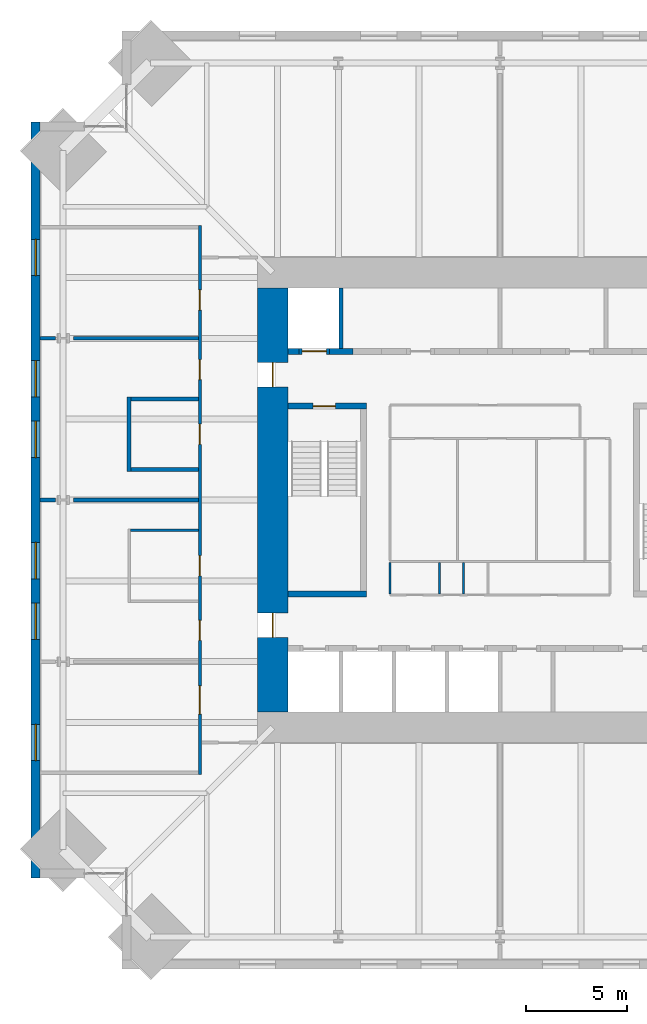
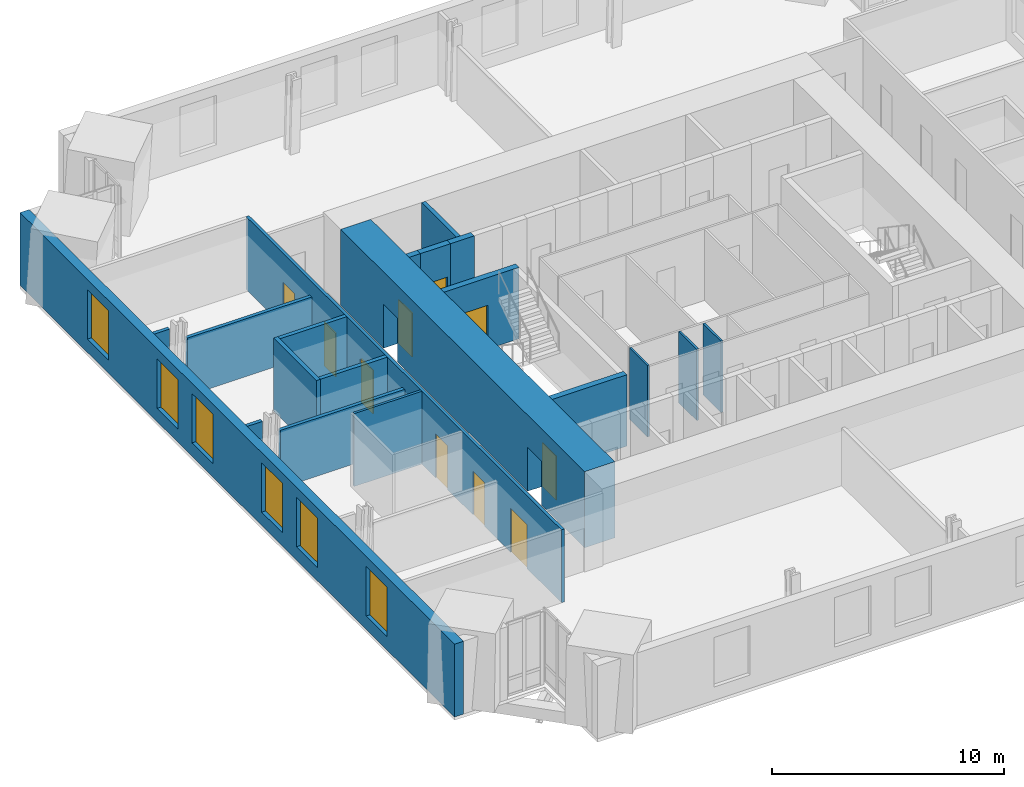
# One storey, part 11 of 15: 20 walls, 10 doors, 6 windows, 16 openings.
"""IFC4 building model written with IfcOpenShell, lengths in metres."""

from ifc_helpers import new_model, si_unit, direction, frame, frame_2d, origin, place, context, subcontext, project, spatial, rectangle, extrude, material, layer, layer_set, type_object, element, fill, save


model = new_model("IFC4")

# Units and contexts
model_context = context("Model", 3, precision=1e-05, world=origin(), true_north=direction((0.0, 1.0)))
body_context = subcontext(model_context, "Body", "Model", "MODEL_VIEW")
ifc_project = project(units=[si_unit("LENGTHUNIT", "METRE"), si_unit("AREAUNIT", "SQUARE_METRE"), si_unit("VOLUMEUNIT", "CUBIC_METRE"), si_unit("PLANEANGLEUNIT", "RADIAN"), si_unit("MASSUNIT", "GRAM", prefix="KILO")], contexts=[model_context])

# Site, building, storey
site_placement = place(None, origin())
site = spatial("IfcSite", under=ifc_project, at=site_placement, CompositionType="ELEMENT")
building_placement = place(site_placement, origin())
building = spatial("IfcBuilding", under=site, at=building_placement, Name="Peilmerk Tower", CompositionType="ELEMENT")
storey_placement = place(building_placement, frame((0.0, 0.0, 229.800048828125)))
storey = spatial("IfcBuildingStorey", under=building, at=storey_placement, Name="L50", CompositionType="ELEMENT", Elevation=229.800048828125)

# Wall, openings, windows
ifc_material_1 = material(Name="Precast concrete C45/55, board-marked finish", Category="concrete")
ifc_layer_1 = layer(ifc_material_1, 0.449951171875)
ifc_layer_set_1 = layer_set([ifc_layer_1], Name="Precast concrete C45/55, board-marked finish")
wall_type_1 = type_object("IfcWallType", Name="EW1 450 precast concrete facade wall, board-marked", PredefinedType="SOLIDWALL", material=ifc_layer_set_1)
wall_1_placement = place(storey_placement, frame((-22.97509765625, 18.699951171875, 0.0), z_axis=(0.0, 0.0, 1.0), x_axis=(0.0, -1.0, 0.0)))
wall_1 = element("IfcWall", 1, at=wall_1_placement, inside=storey, type_object=wall_type_1, Name="Facade wall W L50", PredefinedType="SOLIDWALL", context=body_context, shape_type="SweptSolid", body=[
    extrude(rectangle(XDim=37.39990234375, YDim=0.449951171875, at=frame_2d((18.699951171875, 0.0))), origin(), (0.0, 0.0, 1.0), 3.829833984375),
])
opening_1_placement = place(wall_1_placement, frame((5.800048828125, 0.0, 0.699951171875)))
opening_1 = element("IfcOpeningElement", 2, at=opening_1_placement, cuts=wall_1, Name="Opening W1", PredefinedType="OPENING", context=body_context, shape_type="SweptSolid", body=[
    extrude(rectangle(XDim=1.800048828125, YDim=2.60009765625, at=frame_2d((0.89990234375, 1.300048828125))), frame((0.0, 0.23486328125, 0.0), z_axis=(0.0, -1.0, 0.0), x_axis=(1.0, 0.0, 0.0)), (0.0, 0.0, 1.0), 0.469970703125),
])
opening_2_placement = place(wall_1_placement, frame((11.800048828125, 0.0, 0.699951171875)))
opening_2 = element("IfcOpeningElement", 3, at=opening_2_placement, cuts=wall_1, Name="Opening W1", PredefinedType="OPENING", context=body_context, shape_type="SweptSolid", body=[
    extrude(rectangle(XDim=1.800048828125, YDim=2.60009765625, at=frame_2d((0.89990234375, 1.300048828125))), frame((0.0, 0.23486328125, 0.0), z_axis=(0.0, -1.0, 0.0), x_axis=(1.0, 0.0, 0.0)), (0.0, 0.0, 1.0), 0.469970703125),
])
opening_3_placement = place(wall_1_placement, frame((14.800048828125, 0.0, 0.699951171875)))
opening_3 = element("IfcOpeningElement", 4, at=opening_3_placement, cuts=wall_1, Name="Opening W1", PredefinedType="OPENING", context=body_context, shape_type="SweptSolid", body=[
    extrude(rectangle(XDim=1.800048828125, YDim=2.60009765625, at=frame_2d((0.89990234375, 1.300048828125))), frame((0.0, 0.23486328125, 0.0), z_axis=(0.0, -1.0, 0.0), x_axis=(1.0, 0.0, 0.0)), (0.0, 0.0, 1.0), 0.469970703125),
])
opening_4_placement = place(wall_1_placement, frame((20.800048828125, 0.0, 0.699951171875)))
opening_4 = element("IfcOpeningElement", 5, at=opening_4_placement, cuts=wall_1, Name="Opening W1", PredefinedType="OPENING", context=body_context, shape_type="SweptSolid", body=[
    extrude(rectangle(XDim=1.800048828125, YDim=2.60009765625, at=frame_2d((0.89990234375, 1.300048828125))), frame((0.0, 0.23486328125, 0.0), z_axis=(0.0, -1.0, 0.0), x_axis=(1.0, 0.0, 0.0)), (0.0, 0.0, 1.0), 0.469970703125),
])
opening_5_placement = place(wall_1_placement, frame((23.800048828125, 0.0, 0.699951171875)))
opening_5 = element("IfcOpeningElement", 6, at=opening_5_placement, cuts=wall_1, Name="Opening W1", PredefinedType="OPENING", context=body_context, shape_type="SweptSolid", body=[
    extrude(rectangle(XDim=1.800048828125, YDim=2.60009765625, at=frame_2d((0.89990234375, 1.300048828125))), frame((0.0, 0.23486328125, 0.0), z_axis=(0.0, -1.0, 0.0), x_axis=(1.0, 0.0, 0.0)), (0.0, 0.0, 1.0), 0.469970703125),
])
opening_6_placement = place(wall_1_placement, frame((29.800048828125, 0.0, 0.699951171875)))
opening_6 = element("IfcOpeningElement", 7, at=opening_6_placement, cuts=wall_1, Name="Opening W1", PredefinedType="OPENING", context=body_context, shape_type="SweptSolid", body=[
    extrude(rectangle(XDim=1.800048828125, YDim=2.60009765625, at=frame_2d((0.89990234375, 1.300048828125))), frame((0.0, 0.23486328125, 0.0), z_axis=(0.0, -1.0, 0.0), x_axis=(1.0, 0.0, 0.0)), (0.0, 0.0, 1.0), 0.469970703125),
])
ifc_material_2 = material(Name="Aluminium frame, clear double glazing", Category="aluminium")
window_type = type_object("IfcWindowType", Name="W1 1800x2600 office window", PartitioningType="SINGLE_PANEL", PredefinedType="WINDOW", material=ifc_material_2)
window_1_placement = place(opening_1_placement, origin())
window_1 = element("IfcWindow", 8, at=window_1_placement, inside=storey, type_object=window_type, Name="Window W1 L50", OverallHeight=2.60009765625, OverallWidth=1.800048828125, PartitioningType="SINGLE_PANEL", PredefinedType="WINDOW", context=body_context, shape_type="SweptSolid", body=[
    extrude(rectangle(XDim=1.800048828125, YDim=2.60009765625, at=frame_2d((0.89990234375, 1.300048828125))), frame((0.0, 0.030029296875, 0.0), z_axis=(0.0, -1.0, 0.0), x_axis=(1.0, 0.0, 0.0)), (0.0, 0.0, 1.0), 0.06005859375),
])
fill(opening_1, window_1)
window_2_placement = place(opening_2_placement, origin())
window_2 = element("IfcWindow", 9, at=window_2_placement, inside=storey, type_object=window_type, Name="Window W1 L50", OverallHeight=2.60009765625, OverallWidth=1.800048828125, PartitioningType="SINGLE_PANEL", PredefinedType="WINDOW", context=body_context, shape_type="SweptSolid", body=[
    extrude(rectangle(XDim=1.800048828125, YDim=2.60009765625, at=frame_2d((0.89990234375, 1.300048828125))), frame((0.0, 0.030029296875, 0.0), z_axis=(0.0, -1.0, 0.0), x_axis=(1.0, 0.0, 0.0)), (0.0, 0.0, 1.0), 0.06005859375),
])
fill(opening_2, window_2)
window_3_placement = place(opening_3_placement, origin())
window_3 = element("IfcWindow", 10, at=window_3_placement, inside=storey, type_object=window_type, Name="Window W1 L50", OverallHeight=2.60009765625, OverallWidth=1.800048828125, PartitioningType="SINGLE_PANEL", PredefinedType="WINDOW", context=body_context, shape_type="SweptSolid", body=[
    extrude(rectangle(XDim=1.800048828125, YDim=2.60009765625, at=frame_2d((0.89990234375, 1.300048828125))), frame((0.0, 0.030029296875, 0.0), z_axis=(0.0, -1.0, 0.0), x_axis=(1.0, 0.0, 0.0)), (0.0, 0.0, 1.0), 0.06005859375),
])
fill(opening_3, window_3)
window_4_placement = place(opening_4_placement, origin())
window_4 = element("IfcWindow", 11, at=window_4_placement, inside=storey, type_object=window_type, Name="Window W1 L50", OverallHeight=2.60009765625, OverallWidth=1.800048828125, PartitioningType="SINGLE_PANEL", PredefinedType="WINDOW", context=body_context, shape_type="SweptSolid", body=[
    extrude(rectangle(XDim=1.800048828125, YDim=2.60009765625, at=frame_2d((0.89990234375, 1.300048828125))), frame((0.0, 0.030029296875, 0.0), z_axis=(0.0, -1.0, 0.0), x_axis=(1.0, 0.0, 0.0)), (0.0, 0.0, 1.0), 0.06005859375),
])
fill(opening_4, window_4)
window_5_placement = place(opening_5_placement, origin())
window_5 = element("IfcWindow", 12, at=window_5_placement, inside=storey, type_object=window_type, Name="Window W1 L50", OverallHeight=2.60009765625, OverallWidth=1.800048828125, PartitioningType="SINGLE_PANEL", PredefinedType="WINDOW", context=body_context, shape_type="SweptSolid", body=[
    extrude(rectangle(XDim=1.800048828125, YDim=2.60009765625, at=frame_2d((0.89990234375, 1.300048828125))), frame((0.0, 0.030029296875, 0.0), z_axis=(0.0, -1.0, 0.0), x_axis=(1.0, 0.0, 0.0)), (0.0, 0.0, 1.0), 0.06005859375),
])
fill(opening_5, window_5)
window_6_placement = place(opening_6_placement, origin())
window_6 = element("IfcWindow", 13, at=window_6_placement, inside=storey, type_object=window_type, Name="Window W1 L50", OverallHeight=2.60009765625, OverallWidth=1.800048828125, PartitioningType="SINGLE_PANEL", PredefinedType="WINDOW", context=body_context, shape_type="SweptSolid", body=[
    extrude(rectangle(XDim=1.800048828125, YDim=2.60009765625, at=frame_2d((0.89990234375, 1.300048828125))), frame((0.0, 0.030029296875, 0.0), z_axis=(0.0, -1.0, 0.0), x_axis=(1.0, 0.0, 0.0)), (0.0, 0.0, 1.0), 0.06005859375),
])
fill(opening_6, window_6)

# Wall, openings, doors
ifc_material_3 = material(Name="Calcium silicate block", Category="masonry")
ifc_layer_2 = layer(ifc_material_3, 0.14990234375)
ifc_layer_set_2 = layer_set([ifc_layer_2], Name="Calcium silicate block")
wall_type_2 = type_object("IfcWallType", Name="IW1 150 corridor partition, EI 60", PredefinedType="PARTITIONING", material=ifc_layer_set_2)
wall_2_placement = place(storey_placement, frame((-14.85009765625, 13.574951171875, 0.0), z_axis=(0.0, 0.0, 1.0), x_axis=(0.0, -1.0, 0.0)))
wall_2 = element("IfcWall", 14, at=wall_2_placement, inside=storey, type_object=wall_type_2, Name="Corridor wall W L50", PredefinedType="PARTITIONING", context=body_context, shape_type="SweptSolid", body=[
    extrude(rectangle(XDim=27.14990234375, YDim=0.14990234375, at=frame_2d((13.574951171875, 0.0))), origin(), (0.0, 0.0, 1.0), 3.829833984375),
])
opening_7_placement = place(wall_2_placement, frame((22.77490234375, 0.0, 0.0)))
opening_7 = element("IfcOpeningElement", 15, at=opening_7_placement, cuts=wall_2, Name="Opening D8", PredefinedType="OPENING", context=body_context, shape_type="SweptSolid", body=[
    extrude(rectangle(XDim=1.39990234375, YDim=2.300048828125, at=frame_2d((0.699951171875, 1.14990234375))), frame((0.0, 0.0849609375, 0.0), z_axis=(0.0, -1.0, 0.0), x_axis=(1.0, 0.0, 0.0)), (0.0, 0.0, 1.0), 0.169921875),
])
opening_8_placement = place(wall_2_placement, frame((19.52490234375, 0.0, 0.0)))
opening_8 = element("IfcOpeningElement", 16, at=opening_8_placement, cuts=wall_2, Name="Opening D1", PredefinedType="OPENING", context=body_context, shape_type="SweptSolid", body=[
    extrude(rectangle(XDim=1.0, YDim=2.300048828125, at=frame_2d((0.5, 1.14990234375))), frame((0.0, 0.0849609375, 0.0), z_axis=(0.0, -1.0, 0.0), x_axis=(1.0, 0.0, 0.0)), (0.0, 0.0, 1.0), 0.169921875),
])
opening_9_placement = place(wall_2_placement, frame((6.625, 0.0, 0.0)))
opening_9 = element("IfcOpeningElement", 17, at=opening_9_placement, cuts=wall_2, Name="Opening D1", PredefinedType="OPENING", context=body_context, shape_type="SweptSolid", body=[
    extrude(rectangle(XDim=1.0, YDim=2.300048828125, at=frame_2d((0.5, 1.14990234375))), frame((0.0, 0.0849609375, 0.0), z_axis=(0.0, -1.0, 0.0), x_axis=(1.0, 0.0, 0.0)), (0.0, 0.0, 1.0), 0.169921875),
])
opening_10_placement = place(wall_2_placement, frame((3.175048828125, 0.0, 0.0)))
opening_10 = element("IfcOpeningElement", 18, at=opening_10_placement, cuts=wall_2, Name="Opening D1", PredefinedType="OPENING", context=body_context, shape_type="SweptSolid", body=[
    extrude(rectangle(XDim=1.0, YDim=2.300048828125, at=frame_2d((0.5, 1.14990234375))), frame((0.0, 0.0849609375, 0.0), z_axis=(0.0, -1.0, 0.0), x_axis=(1.0, 0.0, 0.0)), (0.0, 0.0, 1.0), 0.169921875),
])
opening_11_placement = place(wall_2_placement, frame((16.324951171875, 0.0, 0.0)))
opening_11 = element("IfcOpeningElement", 19, at=opening_11_placement, cuts=wall_2, Name="Opening D1", PredefinedType="OPENING", context=body_context, shape_type="SweptSolid", body=[
    extrude(rectangle(XDim=1.0, YDim=2.300048828125, at=frame_2d((0.5, 1.14990234375))), frame((0.0, 0.0849609375, 0.0), z_axis=(0.0, -1.0, 0.0), x_axis=(1.0, 0.0, 0.0)), (0.0, 0.0, 1.0), 0.169921875),
])
opening_12_placement = place(wall_2_placement, frame((9.824951171875, 0.0, 0.0)))
opening_12 = element("IfcOpeningElement", 20, at=opening_12_placement, cuts=wall_2, Name="Opening D1", PredefinedType="OPENING", context=body_context, shape_type="SweptSolid", body=[
    extrude(rectangle(XDim=1.0, YDim=2.300048828125, at=frame_2d((0.5, 1.14990234375))), frame((0.0, 0.0849609375, 0.0), z_axis=(0.0, -1.0, 0.0), x_axis=(1.0, 0.0, 0.0)), (0.0, 0.0, 1.0), 0.169921875),
])
ifc_material_4 = material(Name="Timber door in steel frame", Category="steel")
door_type_1 = type_object("IfcDoorType", Name="D1 1000x2300 room door, EI2 30", OperationType="SINGLE_SWING_LEFT", PredefinedType="DOOR", material=ifc_material_4)
door_1_placement = place(opening_8_placement, frame((1.0, 0.0, 0.0), z_axis=(0.0, 0.0, 1.0), x_axis=(-1.0, 0.0, 0.0)))
door_1 = element("IfcDoor", 21, at=door_1_placement, inside=storey, type_object=door_type_1, Name="Door Office L50", OperationType="SINGLE_SWING_LEFT", OverallHeight=2.300048828125, OverallWidth=1.0, PredefinedType="DOOR", context=body_context, shape_type="SweptSolid", body=[
    extrude(rectangle(XDim=1.0, YDim=2.300048828125, at=frame_2d((0.5, 1.14990234375))), frame((0.0, 0.02490234375, 0.0), z_axis=(0.0, -1.0, 0.0), x_axis=(1.0, 0.0, 0.0)), (0.0, 0.0, 1.0), 0.050048828125),
])
fill(opening_8, door_1)
door_2_placement = place(opening_9_placement, frame((1.0, 0.0, 0.0), z_axis=(0.0, 0.0, 1.0), x_axis=(-1.0, 0.0, 0.0)))
door_2 = element("IfcDoor", 22, at=door_2_placement, inside=storey, type_object=door_type_1, Name="Door Office L50", OperationType="SINGLE_SWING_LEFT", OverallHeight=2.300048828125, OverallWidth=1.0, PredefinedType="DOOR", context=body_context, shape_type="SweptSolid", body=[
    extrude(rectangle(XDim=1.0, YDim=2.300048828125, at=frame_2d((0.5, 1.14990234375))), frame((0.0, 0.02490234375, 0.0), z_axis=(0.0, -1.0, 0.0), x_axis=(1.0, 0.0, 0.0)), (0.0, 0.0, 1.0), 0.050048828125),
])
fill(opening_9, door_2)
door_3_placement = place(opening_10_placement, frame((1.0, 0.0, 0.0), z_axis=(0.0, 0.0, 1.0), x_axis=(-1.0, 0.0, 0.0)))
door_3 = element("IfcDoor", 23, at=door_3_placement, inside=storey, type_object=door_type_1, Name="Door Office L50", OperationType="SINGLE_SWING_LEFT", OverallHeight=2.300048828125, OverallWidth=1.0, PredefinedType="DOOR", context=body_context, shape_type="SweptSolid", body=[
    extrude(rectangle(XDim=1.0, YDim=2.300048828125, at=frame_2d((0.5, 1.14990234375))), frame((0.0, 0.02490234375, 0.0), z_axis=(0.0, -1.0, 0.0), x_axis=(1.0, 0.0, 0.0)), (0.0, 0.0, 1.0), 0.050048828125),
])
fill(opening_10, door_3)
door_4_placement = place(opening_11_placement, frame((1.0, 0.0, 0.0), z_axis=(0.0, 0.0, 1.0), x_axis=(-1.0, 0.0, 0.0)))
door_4 = element("IfcDoor", 24, at=door_4_placement, inside=storey, type_object=door_type_1, Name="Door Pantry L50", OperationType="SINGLE_SWING_LEFT", OverallHeight=2.300048828125, OverallWidth=1.0, PredefinedType="DOOR", context=body_context, shape_type="SweptSolid", body=[
    extrude(rectangle(XDim=1.0, YDim=2.300048828125, at=frame_2d((0.5, 1.14990234375))), frame((0.0, 0.02490234375, 0.0), z_axis=(0.0, -1.0, 0.0), x_axis=(1.0, 0.0, 0.0)), (0.0, 0.0, 1.0), 0.050048828125),
])
fill(opening_11, door_4)
door_5_placement = place(opening_12_placement, frame((1.0, 0.0, 0.0), z_axis=(0.0, 0.0, 1.0), x_axis=(-1.0, 0.0, 0.0)))
door_5 = element("IfcDoor", 25, at=door_5_placement, inside=storey, type_object=door_type_1, Name="Door Project room L50", OperationType="SINGLE_SWING_LEFT", OverallHeight=2.300048828125, OverallWidth=1.0, PredefinedType="DOOR", context=body_context, shape_type="SweptSolid", body=[
    extrude(rectangle(XDim=1.0, YDim=2.300048828125, at=frame_2d((0.5, 1.14990234375))), frame((0.0, 0.02490234375, 0.0), z_axis=(0.0, -1.0, 0.0), x_axis=(1.0, 0.0, 0.0)), (0.0, 0.0, 1.0), 0.050048828125),
])
fill(opening_12, door_5)
door_type_2 = type_object("IfcDoorType", Name="D8 1400x2300 leaf-and-a-half door, EI2 30", OperationType="DOUBLE_DOOR_SINGLE_SWING", PredefinedType="DOOR", material=ifc_material_4)
door_6_placement = place(opening_7_placement, frame((1.39990234375, 0.0, 0.0), z_axis=(0.0, 0.0, 1.0), x_axis=(-1.0, 0.0, 0.0)))
door_6 = element("IfcDoor", 26, at=door_6_placement, inside=storey, type_object=door_type_2, Name="Door Library L50", OperationType="DOUBLE_DOOR_SINGLE_SWING", OverallHeight=2.300048828125, OverallWidth=1.39990234375, PredefinedType="DOOR", context=body_context, shape_type="SweptSolid", body=[
    extrude(rectangle(XDim=1.39990234375, YDim=2.300048828125, at=frame_2d((0.699951171875, 1.14990234375))), frame((0.0, 0.02490234375, 0.0), z_axis=(0.0, -1.0, 0.0), x_axis=(1.0, 0.0, 0.0)), (0.0, 0.0, 1.0), 0.050048828125),
])
fill(opening_7, door_6)

# Walls
ifc_layer_3 = layer(ifc_material_3, 0.199951171875)
ifc_layer_set_3 = layer_set([ifc_layer_3], Name="Calcium silicate block")
wall_type_3 = type_object("IfcWallType", Name="IW2 200 room separating wall, EI 120", PredefinedType="PARTITIONING", material=ifc_layer_set_3)
wall_3_placement = place(storey_placement, frame((-18.35009765625, 1.39990234375, 0.0), z_axis=(0.0, 0.0, 1.0), x_axis=(0.0, 1.0, 0.0)))
element("IfcWall", 27, at=wall_3_placement, inside=storey, type_object=wall_type_3, Name="Room separating wall Project room L50", PredefinedType="PARTITIONING", context=body_context, shape_type="SweptSolid", body=[
    extrude(rectangle(XDim=3.7001953125, YDim=0.199951171875, at=frame_2d((1.85009765625, 0.0))), origin(), (0.0, 0.0, 1.0), 3.829833984375),
])
for number, where, z_axis, x_axis, name in (
    (28, (-14.925048828125, 1.5, 0.0), (0.0, 0.0, 1.0), (-1.0, 0.0, 0.0), "Room separating wall Project room L50"),
    (29, (-14.925048828125, 5.0, 0.0), (0.0, 0.0, 1.0), (-1.0, 0.0, 0.0), "Room separating wall Project room L50"),
):
    element("IfcWall", number, at=place(storey_placement, frame(where, z_axis=z_axis, x_axis=x_axis)), inside=storey, type_object=wall_type_3, Name=name, PredefinedType="PARTITIONING", context=body_context, shape_type="SweptSolid", body=[
        extrude(rectangle(XDim=3.324951171875, YDim=0.199951171875, at=frame_2d((1.66259765625, 0.0))), origin(), (0.0, 0.0, 1.0), 3.829833984375),
    ])

# Wall, opening, door
ifc_material_5 = material(Name="Concrete C35/45", Category="concrete")
ifc_layer_4 = layer(ifc_material_5, 0.300048828125)
ifc_layer_set_4 = layer_set([ifc_layer_4], Name="Concrete C35/45")
wall_type_4 = type_object("IfcWallType", Name="IW3 300 concrete stair enclosure wall, EI 120", PredefinedType="SOLIDWALL", material=ifc_layer_set_4)
wall_4_placement = place(storey_placement, frame((-10.5, 4.64990234375, 0.0), z_axis=(0.0, 0.0, 1.0), x_axis=(1.0, 0.0, 0.0)))
wall_4 = element("IfcWall", 30, at=wall_4_placement, inside=storey, type_object=wall_type_4, Name="Stair 1 enclosure L50", PredefinedType="SOLIDWALL", context=body_context, shape_type="SweptSolid", body=[
    extrude(rectangle(XDim=3.89990234375, YDim=0.300048828125, at=frame_2d((1.949951171875, 0.0))), origin(), (0.0, 0.0, 1.0), 3.75),
])
opening_13_placement = place(wall_4_placement, frame((1.25, 0.0, 0.0)))
opening_13 = element("IfcOpeningElement", 31, at=opening_13_placement, cuts=wall_4, Name="Opening D4", PredefinedType="OPENING", context=body_context, shape_type="SweptSolid", body=[
    extrude(rectangle(XDim=1.10009765625, YDim=2.300048828125, at=frame_2d((0.550048828125, 1.14990234375))), frame((0.0, 0.159912109375, 0.0), z_axis=(0.0, -1.0, 0.0), x_axis=(1.0, 0.0, 0.0)), (0.0, 0.0, 1.0), 0.320068359375),
])
ifc_material_6 = material(Name="Steel door in steel frame", Category="steel")
door_type_3 = type_object("IfcDoorType", Name="D4 1100x2300 stair door, EI2 60", OperationType="SINGLE_SWING_RIGHT", PredefinedType="DOOR", material=ifc_material_6)
door_7_placement = place(opening_13_placement, frame((1.10009765625, 0.0, 0.0), z_axis=(0.0, 0.0, 1.0), x_axis=(-1.0, 0.0, 0.0)))
door_7 = element("IfcDoor", 32, at=door_7_placement, inside=storey, type_object=door_type_3, Name="Stair 1 door L50", OperationType="SINGLE_SWING_RIGHT", OverallHeight=2.300048828125, OverallWidth=1.10009765625, PredefinedType="DOOR", context=body_context, shape_type="SweptSolid", body=[
    extrude(rectangle(XDim=1.10009765625, YDim=2.300048828125, at=frame_2d((0.550048828125, 1.14990234375))), frame((0.0, 0.02490234375, 0.0), z_axis=(0.0, -1.0, 0.0), x_axis=(1.0, 0.0, 0.0)), (0.0, 0.0, 1.0), 0.050048828125),
])
fill(opening_13, door_7)

# Walls
wall_5_placement = place(storey_placement, frame((-6.60009765625, -4.64990234375, 0.0), z_axis=(0.0, 0.0, 1.0), x_axis=(-1.0, 0.0, 0.0)))
element("IfcWall", 33, at=wall_5_placement, inside=storey, type_object=wall_type_4, Name="Stair 1 enclosure L50", PredefinedType="SOLIDWALL", context=body_context, shape_type="SweptSolid", body=[
    extrude(rectangle(XDim=3.89990234375, YDim=0.300048828125, at=frame_2d((1.949951171875, 0.0))), origin(), (0.0, 0.0, 1.0), 3.75),
])
ifc_material_7 = material(Name="Calcium silicate board on steel studs", Category="steel")
ifc_layer_5 = layer(ifc_material_7, 0.10009765625)
ifc_layer_set_5 = layer_set([ifc_layer_5], Name="Calcium silicate board on steel studs")
wall_type_5 = type_object("IfcWallType", Name="IW5 100 riser enclosure wall, EI 60", PredefinedType="PARTITIONING", material=ifc_layer_set_5)
for number, where, z_axis, x_axis, name in (
    (34, (-5.449951171875, -3.10009765625, 0.0), (0.0, 0.0, 1.0), (0.0, -1.0, 0.0), "Riser wall L50"),
    (35, (-3.0, -3.10009765625, 0.0), (0.0, 0.0, 1.0), (0.0, -1.0, 0.0), "Riser wall L50"),
    (36, (-1.800048828125, -3.10009765625, 0.0), (0.0, 0.0, 1.0), (0.0, -1.0, 0.0), "Riser wall L50"),
):
    element("IfcWall", number, at=place(storey_placement, frame(where, z_axis=z_axis, x_axis=x_axis)), inside=storey, type_object=wall_type_5, Name=name, PredefinedType="PARTITIONING", context=body_context, shape_type="SweptSolid", body=[
        extrude(rectangle(XDim=1.5498046875, YDim=0.10009765625, at=frame_2d((0.77490234375, 0.0))), origin(), (0.0, 0.0, 1.0), 3.75),
    ])
ifc_material_8 = material(Name="Plasterboard on steel studs, double boarded with mineral wool", Category="steel")
ifc_layer_6 = layer(ifc_material_8, 0.125)
ifc_layer_set_6 = layer_set([ifc_layer_6], Name="Plasterboard on steel studs, double boarded with mineral wool")
wall_type_6 = type_object("IfcWallType", Name="IW7 125 acoustic partition, EI 30", PredefinedType="PARTITIONING", material=ifc_layer_set_6)
wall_6_placement = place(storey_placement, frame((-14.925048828125, -1.5, 0.0), z_axis=(0.0, 0.0, 1.0), x_axis=(-1.0, 0.0, 0.0)))
element("IfcWall", 37, at=wall_6_placement, inside=storey, type_object=wall_type_6, Name="Acoustic partition Pantry L50", PredefinedType="PARTITIONING", context=body_context, shape_type="SweptSolid", body=[
    extrude(rectangle(XDim=3.362548828125, YDim=0.125, at=frame_2d((1.68115234375, 0.0))), origin(), (0.0, 0.0, 1.0), 3.829833984375),
])
ifc_layer_7 = layer(ifc_material_3, 0.175048828125)
ifc_layer_set_7 = layer_set([ifc_layer_7], Name="Calcium silicate block")
wall_type_7 = type_object("IfcWallType", Name="IW8 175 tenant separating wall, EI 60", PredefinedType="PARTITIONING", material=ifc_layer_set_7)
wall_7_placement = place(storey_placement, frame((-14.925048828125, 0.0, 0.0), z_axis=(0.0, 0.0, 1.0), x_axis=(-1.0, 0.0, 0.0)))
element("IfcWall", 38, at=wall_7_placement, inside=storey, type_object=wall_type_7, Name="Tenant separating wall W2 L50", PredefinedType="PARTITIONING", context=body_context, shape_type="SweptSolid", body=[
    extrude(rectangle(XDim=6.180419921875, YDim=0.175048828125, at=frame_2d((3.09033203125, 0.0))), origin(), (0.0, 0.0, 1.0), 3.0400390625),
])
wall_8_placement = place(storey_placement, frame((-21.99462890625, 0.0, 0.0), z_axis=(0.0, 0.0, 1.0), x_axis=(-1.0, 0.0, 0.0)))
element("IfcWall", 39, at=wall_8_placement, inside=storey, type_object=wall_type_7, Name="Tenant separating wall W2b L50", PredefinedType="PARTITIONING", context=body_context, shape_type="SweptSolid", body=[
    extrude(rectangle(XDim=0.75537109375, YDim=0.175048828125, at=frame_2d((0.377685546875, 0.0))), origin(), (0.0, 0.0, 1.0), 3.829833984375),
])
wall_9_placement = place(storey_placement, frame((-14.925048828125, 8.0, 0.0), z_axis=(0.0, 0.0, 1.0), x_axis=(-1.0, 0.0, 0.0)))
element("IfcWall", 40, at=wall_9_placement, inside=storey, type_object=wall_type_7, Name="Tenant separating wall W3 L50", PredefinedType="PARTITIONING", context=body_context, shape_type="SweptSolid", body=[
    extrude(rectangle(XDim=6.180419921875, YDim=0.175048828125, at=frame_2d((3.09033203125, 0.0))), origin(), (0.0, 0.0, 1.0), 3.0400390625),
])
wall_10_placement = place(storey_placement, frame((-21.99462890625, 8.0, 0.0), z_axis=(0.0, 0.0, 1.0), x_axis=(-1.0, 0.0, 0.0)))
element("IfcWall", 41, at=wall_10_placement, inside=storey, type_object=wall_type_7, Name="Tenant separating wall W3b L50", PredefinedType="PARTITIONING", context=body_context, shape_type="SweptSolid", body=[
    extrude(rectangle(XDim=0.75537109375, YDim=0.175048828125, at=frame_2d((0.377685546875, 0.0))), origin(), (0.0, 0.0, 1.0), 3.829833984375),
])
ifc_layer_8 = layer(ifc_material_3, 0.199951171875)
ifc_layer_set_8 = layer_set([ifc_layer_8], Name="Calcium silicate block")
wall_type_8 = type_object("IfcWallType", Name="SH1 200 shaft dividing wall, EI 120", PredefinedType="PARTITIONING", material=ifc_layer_set_8)
wall_11_placement = place(storey_placement, frame((-7.875, 7.5, 0.0), z_axis=(0.0, 0.0, 1.0), x_axis=(0.0, 1.0, 0.0)))
element("IfcWall", 42, at=wall_11_placement, inside=storey, type_object=wall_type_8, Name="Shaft wall N FL1 L50", PredefinedType="PARTITIONING", context=body_context, shape_type="SweptSolid", body=[
    extrude(rectangle(XDim=3.0, YDim=0.199951171875, at=frame_2d((1.5, 0.0))), origin(), (0.0, 0.0, 1.0), 4.0),
])

# Wall, opening, door
ifc_layer_9 = layer(ifc_material_3, 0.300048828125)
ifc_layer_set_9 = layer_set([ifc_layer_9], Name="Calcium silicate block")
wall_type_9 = type_object("IfcWallType", Name="SH2 300 lift landing door panel, EI 120", PredefinedType="PARTITIONING", material=ifc_layer_set_9)
wall_12_placement = place(storey_placement, frame((-9.9375, 7.35009765625, 0.0), z_axis=(0.0, 0.0, 1.0), x_axis=(1.0, 0.0, 0.0)))
wall_12 = element("IfcWall", 43, at=wall_12_placement, inside=storey, type_object=wall_type_9, Name="Lift door panel N FL1 L50", PredefinedType="PARTITIONING", context=body_context, shape_type="SweptSolid", body=[
    extrude(rectangle(XDim=1.5, YDim=0.300048828125, at=frame_2d((0.75, 0.0))), origin(), (0.0, 0.0, 1.0), 4.0),
])
opening_14_placement = place(wall_12_placement, frame((0.14990234375, 0.0, 0.0)))
opening_14 = element("IfcOpeningElement", 44, at=opening_14_placement, cuts=wall_12, Name="Opening LD2", PredefinedType="OPENING", context=body_context, shape_type="SweptSolid", body=[
    extrude(rectangle(XDim=1.199951171875, YDim=2.300048828125, at=frame_2d((0.60009765625, 1.14990234375))), frame((0.0, 0.159912109375, 0.0), z_axis=(0.0, -1.0, 0.0), x_axis=(1.0, 0.0, 0.0)), (0.0, 0.0, 1.0), 0.320068359375),
])
ifc_material_9 = material(Name="Stainless steel landing door", Category="steel")
door_type_4 = type_object("IfcDoorType", Name="LD2 1200x2300 lift landing door, sliding, EI2 60", OperationType="SLIDING_TO_LEFT", PredefinedType="DOOR", material=ifc_material_9)
door_8_placement = place(opening_14_placement, frame((1.199951171875, 0.0, 0.0), z_axis=(0.0, 0.0, 1.0), x_axis=(-1.0, 0.0, 0.0)))
door_8 = element("IfcDoor", 45, at=door_8_placement, inside=storey, type_object=door_type_4, Name="Lift landing door FL1 L50", OperationType="SLIDING_TO_LEFT", OverallHeight=2.300048828125, OverallWidth=1.199951171875, PredefinedType="DOOR", context=body_context, shape_type="SweptSolid", body=[
    extrude(rectangle(XDim=1.199951171875, YDim=2.300048828125, at=frame_2d((0.60009765625, 1.14990234375))), frame((0.0, 0.02490234375, 0.0), z_axis=(0.0, -1.0, 0.0), x_axis=(1.0, 0.0, 0.0)), (0.0, 0.0, 1.0), 0.050048828125),
])
fill(opening_14, door_8)

# Wall, openings, doors
ifc_material_10 = material(Name="Concrete C55/67", Category="concrete")
ifc_layer_10 = layer(ifc_material_10, 1.5)
ifc_layer_set_10 = layer_set([ifc_layer_10], Name="Concrete C55/67")
wall_type_10 = type_object("IfcWallType", Name="SW1 1500 core wall", PredefinedType="SHEAR", material=ifc_layer_set_10)
wall_13_placement = place(storey_placement, frame((-11.25, -10.5, 0.0), z_axis=(0.0, 0.0, 1.0), x_axis=(0.0, 1.0, 0.0)))
wall_13 = element("IfcWall", 46, at=wall_13_placement, inside=storey, type_object=wall_type_10, Name="Core wall W L50", PredefinedType="SHEAR", context=body_context, shape_type="SweptSolid", body=[
    extrude(rectangle(XDim=21.0, YDim=1.5, at=frame_2d((10.5, 0.0))), origin(), (0.0, 0.0, 1.0), 4.0),
])
opening_15_placement = place(wall_13_placement, frame((16.10009765625, 0.0, 0.0)))
opening_15 = element("IfcOpeningElement", 47, at=opening_15_placement, cuts=wall_13, Name="Opening D3", PredefinedType="OPENING", context=body_context, shape_type="SweptSolid", body=[
    extrude(rectangle(XDim=1.199951171875, YDim=2.300048828125, at=frame_2d((0.60009765625, 1.14990234375))), frame((0.0, 0.760009765625, 0.0), z_axis=(0.0, -1.0, 0.0), x_axis=(1.0, 0.0, 0.0)), (0.0, 0.0, 1.0), 1.52001953125),
])
opening_16_placement = place(wall_13_placement, frame((3.699951171875, 0.0, 0.0)))
opening_16 = element("IfcOpeningElement", 48, at=opening_16_placement, cuts=wall_13, Name="Opening D3", PredefinedType="OPENING", context=body_context, shape_type="SweptSolid", body=[
    extrude(rectangle(XDim=1.199951171875, YDim=2.300048828125, at=frame_2d((0.60009765625, 1.14990234375))), frame((0.0, 0.760009765625, 0.0), z_axis=(0.0, -1.0, 0.0), x_axis=(1.0, 0.0, 0.0)), (0.0, 0.0, 1.0), 1.52001953125),
])
door_type_5 = type_object("IfcDoorType", Name="D3 1200x2300 core door, EI2 60", OperationType="SINGLE_SWING_LEFT", PredefinedType="DOOR", material=ifc_material_6)
door_9_placement = place(opening_15_placement, frame((1.199951171875, 0.0, 0.0), z_axis=(0.0, 0.0, 1.0), x_axis=(-1.0, 0.0, 0.0)))
door_9 = element("IfcDoor", 49, at=door_9_placement, inside=storey, type_object=door_type_5, Name="Core door L50", OperationType="SINGLE_SWING_LEFT", OverallHeight=2.300048828125, OverallWidth=1.199951171875, PredefinedType="DOOR", context=body_context, shape_type="SweptSolid", body=[
    extrude(rectangle(XDim=1.199951171875, YDim=2.300048828125, at=frame_2d((0.60009765625, 1.14990234375))), frame((0.0, 0.02490234375, 0.0), z_axis=(0.0, -1.0, 0.0), x_axis=(1.0, 0.0, 0.0)), (0.0, 0.0, 1.0), 0.050048828125),
])
fill(opening_15, door_9)
door_10_placement = place(opening_16_placement, frame((1.199951171875, 0.0, 0.0), z_axis=(0.0, 0.0, 1.0), x_axis=(-1.0, 0.0, 0.0)))
door_10 = element("IfcDoor", 50, at=door_10_placement, inside=storey, type_object=door_type_5, Name="Core door L50", OperationType="SINGLE_SWING_LEFT", OverallHeight=2.300048828125, OverallWidth=1.199951171875, PredefinedType="DOOR", context=body_context, shape_type="SweptSolid", body=[
    extrude(rectangle(XDim=1.199951171875, YDim=2.300048828125, at=frame_2d((0.60009765625, 1.14990234375))), frame((0.0, 0.02490234375, 0.0), z_axis=(0.0, -1.0, 0.0), x_axis=(1.0, 0.0, 0.0)), (0.0, 0.0, 1.0), 0.050048828125),
])
fill(opening_16, door_10)

# Walls
ifc_layer_11 = layer(ifc_material_10, 0.300048828125)
ifc_layer_set_11 = layer_set([ifc_layer_11], Name="Concrete C55/67")
wall_type_11 = type_object("IfcWallType", Name="SW2 300 lift bank pier", PredefinedType="SHEAR", material=ifc_layer_set_11)
wall_14_placement = place(storey_placement, frame((-10.5, 7.35009765625, 0.0), z_axis=(0.0, 0.0, 1.0), x_axis=(1.0, 0.0, 0.0)))
element("IfcWall", 51, at=wall_14_placement, inside=storey, type_object=wall_type_11, Name="Lift bank pier N L50", PredefinedType="SHEAR", context=body_context, shape_type="SweptSolid", body=[
    extrude(rectangle(XDim=0.5625, YDim=0.300048828125, at=frame_2d((0.28125, 0.0))), origin(), (0.0, 0.0, 1.0), 4.0),
])
wall_15_placement = place(storey_placement, frame((-8.4375, 7.35009765625, 0.0), z_axis=(0.0, 0.0, 1.0), x_axis=(1.0, 0.0, 0.0)))
element("IfcWall", 52, at=wall_15_placement, inside=storey, type_object=wall_type_11, Name="Lift bank pier N L50", PredefinedType="SHEAR", context=body_context, shape_type="SweptSolid", body=[
    extrude(rectangle(XDim=1.175048828125, YDim=0.300048828125, at=frame_2d((0.58740234375, 0.0))), origin(), (0.0, 0.0, 1.0), 4.0),
])

save(model, "model.ifc")
